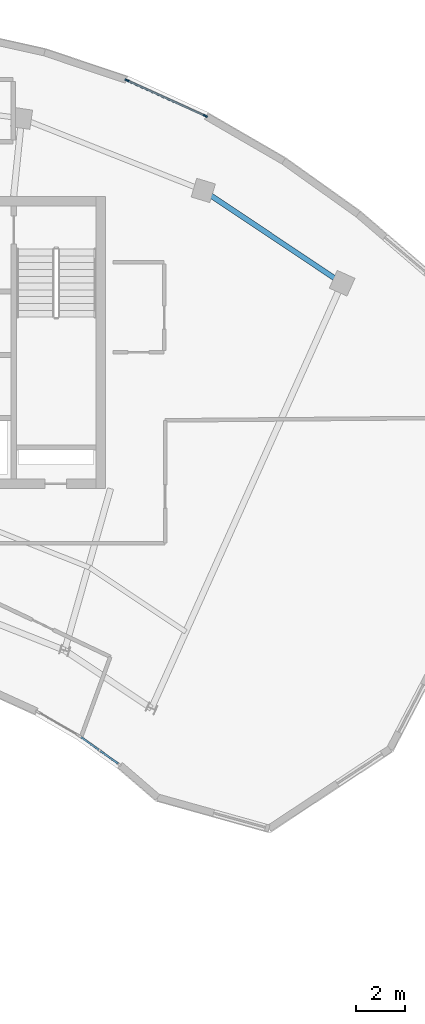
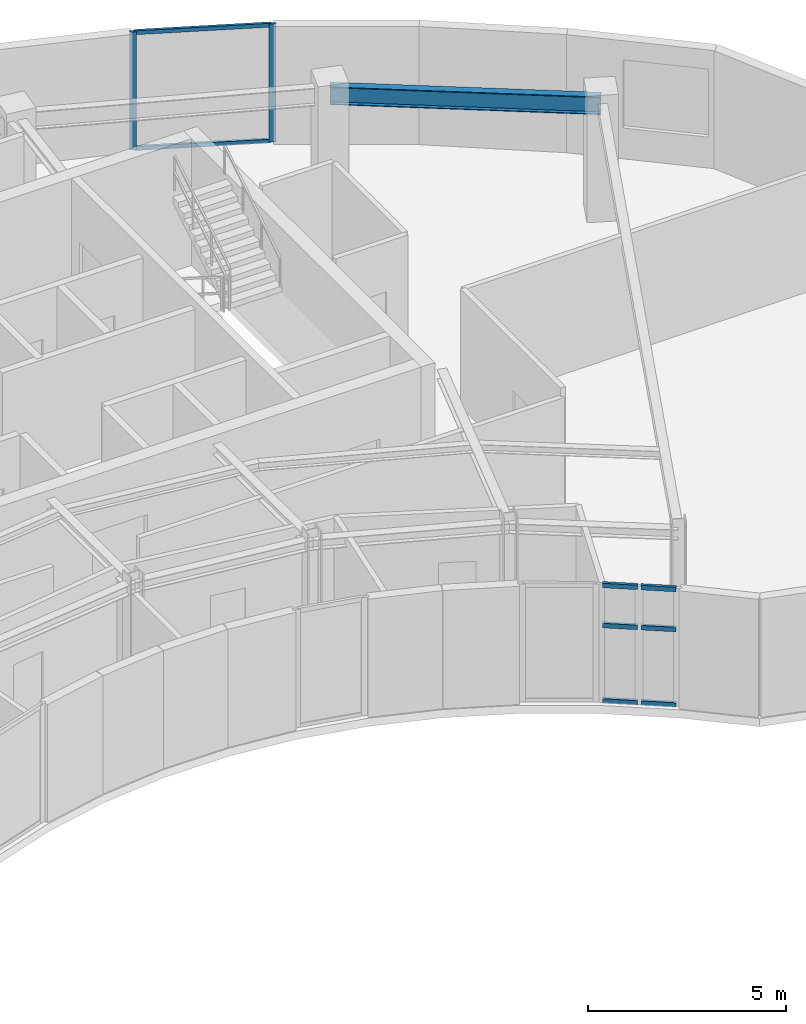
# One storey, part 5 of 13: 10 members, 1 beam, 2 elements without a shape of their own.
"""IFC4 building model written with IfcOpenShell, lengths in metres."""

from ifc_helpers import new_model, si_unit, direction, frame, origin, origin_2d, place, context, subcontext, project, spatial, rectangle, i_section, extrude, source, transform, mapped, material, layer, layer_set, material_profile, profile_set, type_object, element, aggregate, save


model = new_model("IFC4")

# Units and contexts
model_context = context("Model", 3, precision=1e-05, world=origin(), true_north=direction((0.0, 1.0)))
body_context = subcontext(model_context, "Body", "Model", "MODEL_VIEW")
ifc_project = project(units=[si_unit("LENGTHUNIT", "METRE"), si_unit("AREAUNIT", "SQUARE_METRE"), si_unit("VOLUMEUNIT", "CUBIC_METRE"), si_unit("PLANEANGLEUNIT", "RADIAN"), si_unit("MASSUNIT", "GRAM", prefix="KILO")], contexts=[model_context])

# Site, building, storey
site_placement = place(None, origin())
site = spatial("IfcSite", under=ifc_project, at=site_placement, CompositionType="ELEMENT")
building_placement = place(site_placement, origin())
building = spatial("IfcBuilding", under=site, at=building_placement, Name="Breltana Convention Tower", CompositionType="ELEMENT")
storey_placement = place(building_placement, frame((0.0, 0.0, 271.800048828125)))
storey = spatial("IfcBuildingStorey", under=building, at=storey_placement, Name="L66", CompositionType="ELEMENT", Elevation=271.800048828125)

# Beam
ifc_material_1 = material(Name="Steel ASTM A992 Grade 50", Category="steel")
ifc_material_profile_1 = material_profile(ifc_material_1, i_section(OverallWidth=0.214111328125, OverallDepth=0.549072265625, WebThickness=0.0146484375, FlangeThickness=0.023681640625, at=origin_2d()), Name="W21X93")
ifc_profile_set_1 = profile_set([ifc_material_profile_1], Name="Steel ASTM A992 Grade 50")
beam_type = type_object("IfcBeamType", Name="BM-SP-W21X93", PredefinedType="SPANDREL", material=ifc_profile_set_1)
shared_shape_1 = source(origin(), body_context, "Body", "SweptSolid", [
    extrude(i_section(OverallWidth=0.214111328125, OverallDepth=0.549072265625, WebThickness=0.0146484375, FlangeThickness=0.023681640625, at=origin_2d()), origin(), (0.0, 0.0, 1.0), 6.856689453125),
])
beam_placement = place(storey_placement, frame((63.208984375, 72.4423828125, 3.365478515625), z_axis=(0.83150210718, -0.55552159792, 0.0), x_axis=(0.55552159792, 0.83150210718, 0.0)))
element("IfcBeam", 1, at=beam_placement, inside=storey, type_object=beam_type, Name="L66 Outer Spandrel Beam 08", PredefinedType="SPANDREL", context=body_context, shape_type="MappedRepresentation", body=[
    mapped(shared_shape_1, transform((0.0, 0.0, 0.0), scale=1.0)),
])

# Curtain wall, members
ifc_material_2 = material(Name="Aluminium Anodised Bronze Frame", Category="aluminium")
ifc_layer_1 = layer(ifc_material_2, 0.18994140625, Name="Aluminium Anodised Bronze Frame")
ifc_layer_set_1 = layer_set([ifc_layer_1], Name="Aluminium Anodised Bronze Frame")
curtain_wall_type_1 = type_object("IfcCurtainWallType", Name="CW-SYS-1", PredefinedType="NOTDEFINED", material=ifc_layer_set_1)
curtain_wall_1_placement = place(storey_placement, origin())
curtain_wall_1 = element("IfcCurtainWall", 2, at=curtain_wall_1_placement, inside=storey, type_object=curtain_wall_type_1, Name="L66 inner south-court glazing 1", PredefinedType="NOTDEFINED")
ifc_material_3 = material(Name="Aluminium Anodised Bronze", Category="aluminium")
ifc_material_profile_2 = material_profile(ifc_material_3, rectangle(XDim=0.080078125, YDim=0.139892578125, at=origin_2d()), Name="CWT-80X140")
ifc_profile_set_2 = profile_set([ifc_material_profile_2], Name="Aluminium Anodised Bronze")
member_type_1 = type_object("IfcMemberType", Name="CWT-140", PredefinedType="USERDEFINED", material=ifc_profile_set_2)
shared_shape_2 = source(origin(), body_context, "Body", "SweptSolid", [
    extrude(rectangle(XDim=0.080078125, YDim=0.139892578125, at=origin_2d()), origin(), (0.0, 0.0, 1.0), 0.896240234375),
])
member_1_placement = place(storey_placement, frame((59.71142578125, 48.90478515625, 0.0400390625), z_axis=(-0.814027888209, 0.580825789043, 0.0), x_axis=(-0.580825789043, -0.814027888209, 0.0)))
member_1 = element("IfcMember", 3, at=member_1_placement, type_object=member_type_1, Name="CW-01 transom 1.1", ObjectType="TRANSOM", PredefinedType="USERDEFINED", context=body_context, shape_type="MappedRepresentation", body=[
    mapped(shared_shape_2, transform((0.0, 0.0, 0.0), scale=1.0)),
])
member_2_placement = place(storey_placement, frame((59.71142578125, 48.90478515625, 2.365966796875), z_axis=(-0.814027888209, 0.580825789043, 0.0), x_axis=(-0.580825789043, -0.814027888209, 0.0)))
member_2 = element("IfcMember", 4, at=member_2_placement, type_object=member_type_1, Name="CW-01 transom 1.2", ObjectType="TRANSOM", PredefinedType="USERDEFINED", context=body_context, shape_type="MappedRepresentation", body=[
    mapped(shared_shape_2, transform((0.0, 0.0, 0.0), scale=1.0)),
])
member_3_placement = place(storey_placement, frame((59.71142578125, 48.90478515625, 3.599853515625), z_axis=(-0.814027888209, 0.580825789043, 0.0), x_axis=(-0.580825789043, -0.814027888209, 0.0)))
member_3 = element("IfcMember", 5, at=member_3_placement, type_object=member_type_1, Name="CW-01 transom 1.3", ObjectType="TRANSOM", PredefinedType="USERDEFINED", context=body_context, shape_type="MappedRepresentation", body=[
    mapped(shared_shape_2, transform((0.0, 0.0, 0.0), scale=1.0)),
])
member_4_placement = place(storey_placement, frame((58.916748046875, 49.4716796875, 0.0400390625), z_axis=(-0.814248531109, 0.58051643352, 0.0), x_axis=(-0.58051643352, -0.814248531109, 0.0)))
member_4 = element("IfcMember", 6, at=member_4_placement, type_object=member_type_1, Name="CW-01 transom 2.1", ObjectType="TRANSOM", PredefinedType="USERDEFINED", context=body_context, shape_type="MappedRepresentation", body=[
    mapped(shared_shape_2, transform((0.0, 0.0, 0.0), scale=1.0)),
])
member_5_placement = place(storey_placement, frame((58.916748046875, 49.4716796875, 2.365966796875), z_axis=(-0.814248531109, 0.58051643352, 0.0), x_axis=(-0.58051643352, -0.814248531109, 0.0)))
member_5 = element("IfcMember", 7, at=member_5_placement, type_object=member_type_1, Name="CW-01 transom 2.2", ObjectType="TRANSOM", PredefinedType="USERDEFINED", context=body_context, shape_type="MappedRepresentation", body=[
    mapped(shared_shape_2, transform((0.0, 0.0, 0.0), scale=1.0)),
])
member_6_placement = place(storey_placement, frame((58.916748046875, 49.4716796875, 3.599853515625), z_axis=(-0.814248531109, 0.58051643352, 0.0), x_axis=(-0.58051643352, -0.814248531109, 0.0)))
member_6 = element("IfcMember", 8, at=member_6_placement, type_object=member_type_1, Name="CW-01 transom 2.3", ObjectType="TRANSOM", PredefinedType="USERDEFINED", context=body_context, shape_type="MappedRepresentation", body=[
    mapped(shared_shape_2, transform((0.0, 0.0, 0.0), scale=1.0)),
])
aggregate(curtain_wall_1, [member_1, member_2, member_3, member_4, member_5, member_6])

ifc_layer_2 = layer(ifc_material_2, 0.22998046875, Name="Aluminium Anodised Bronze Frame")
ifc_layer_set_2 = layer_set([ifc_layer_2], Name="Aluminium Anodised Bronze Frame")
curtain_wall_type_2 = type_object("IfcCurtainWallType", Name="CW-SYS-5", PredefinedType="NOTDEFINED", material=ifc_layer_set_2)
curtain_wall_2_placement = place(storey_placement, origin())
curtain_wall_2 = element("IfcCurtainWall", 9, at=curtain_wall_2_placement, inside=storey, type_object=curtain_wall_type_2, Name="L66 outer double-skin inner glazing 4", PredefinedType="NOTDEFINED")
ifc_material_profile_3 = material_profile(ifc_material_3, rectangle(XDim=0.070068359375, YDim=0.1201171875, at=origin_2d()), Name="CWT-70X120")
ifc_profile_set_3 = profile_set([ifc_material_profile_3], Name="Aluminium Anodised Bronze")
member_type_2 = type_object("IfcMemberType", Name="CWT-120", PredefinedType="USERDEFINED", material=ifc_profile_set_3)
shared_shape_3 = source(origin(), body_context, "Body", "SweptSolid", [
    extrude(rectangle(XDim=0.070068359375, YDim=0.1201171875, at=origin_2d()), origin(), (0.0, 0.0, 1.0), 3.462646484375),
])
member_7_placement = place(storey_placement, frame((60.110107421875, 76.950439453125, 0.034912109375), z_axis=(0.910487173893, -0.413537309292, 0.0), x_axis=(0.413537309292, 0.910487173893, 0.0)))
member_7 = element("IfcMember", 10, at=member_7_placement, type_object=member_type_2, Name="CW-05 transom 1.1", ObjectType="TRANSOM", PredefinedType="USERDEFINED", context=body_context, shape_type="MappedRepresentation", body=[
    mapped(shared_shape_3, transform((0.0, 0.0, 0.0), scale=1.0)),
])
member_8_placement = place(storey_placement, frame((60.110107421875, 76.950439453125, 3.60498046875), z_axis=(0.910487173893, -0.413537309292, 0.0), x_axis=(0.413537309292, 0.910487173893, 0.0)))
member_8 = element("IfcMember", 11, at=member_8_placement, type_object=member_type_2, Name="CW-05 transom 1.2", ObjectType="TRANSOM", PredefinedType="USERDEFINED", context=body_context, shape_type="MappedRepresentation", body=[
    mapped(shared_shape_3, transform((0.0, 0.0, 0.0), scale=1.0)),
])
ifc_material_profile_4 = material_profile(ifc_material_3, rectangle(XDim=0.070068359375, YDim=0.175048828125, at=origin_2d()), Name="CWM-70X175")
ifc_profile_set_4 = profile_set([ifc_material_profile_4], Name="Aluminium Anodised Bronze")
member_type_3 = type_object("IfcMemberType", Name="CWM-175", PredefinedType="MULLION", material=ifc_profile_set_4)
shared_shape_4 = source(origin(), body_context, "Body", "SweptSolid", [
    extrude(rectangle(XDim=0.070068359375, YDim=0.175048828125, at=origin_2d()), origin(), (0.0, 0.0, 1.0), 3.639892578125),
])
member_9_placement = place(storey_placement, frame((60.078125, 76.96484375, 0.0), z_axis=(0.0, 0.0, 1.0), x_axis=(0.413537325324, 0.910487166611, 0.0)))
member_9 = element("IfcMember", 12, at=member_9_placement, type_object=member_type_3, Name="CW-05 mullion 1", PredefinedType="MULLION", context=body_context, shape_type="MappedRepresentation", body=[
    mapped(shared_shape_4, transform((0.0, 0.0, 0.0), scale=1.0)),
])
member_10_placement = place(storey_placement, frame((63.29443359375, 75.504150390625, 0.0), z_axis=(0.0, 0.0, 1.0), x_axis=(0.413537325324, 0.910487166611, 0.0)))
member_10 = element("IfcMember", 13, at=member_10_placement, type_object=member_type_3, Name="CW-05 mullion 2", PredefinedType="MULLION", context=body_context, shape_type="MappedRepresentation", body=[
    mapped(shared_shape_4, transform((0.0, 0.0, 0.0), scale=1.0)),
])
aggregate(curtain_wall_2, [member_9, member_10, member_7, member_8])

save(model, "model.ifc")
